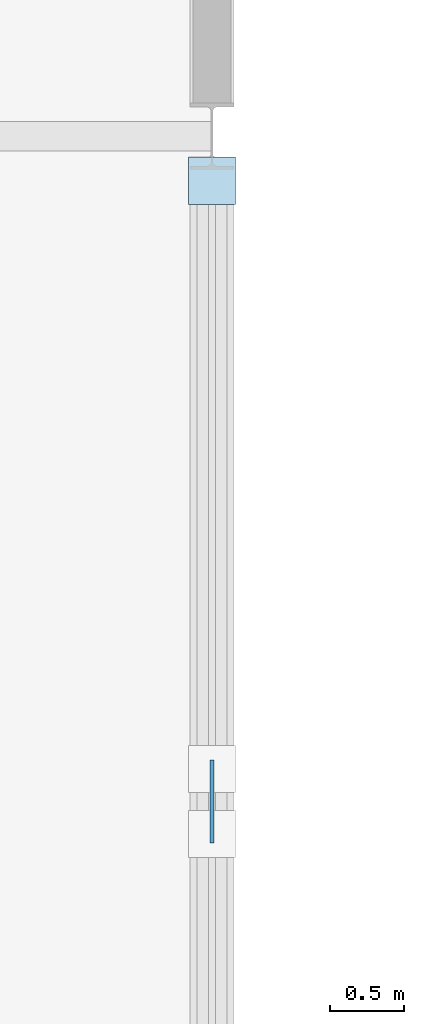
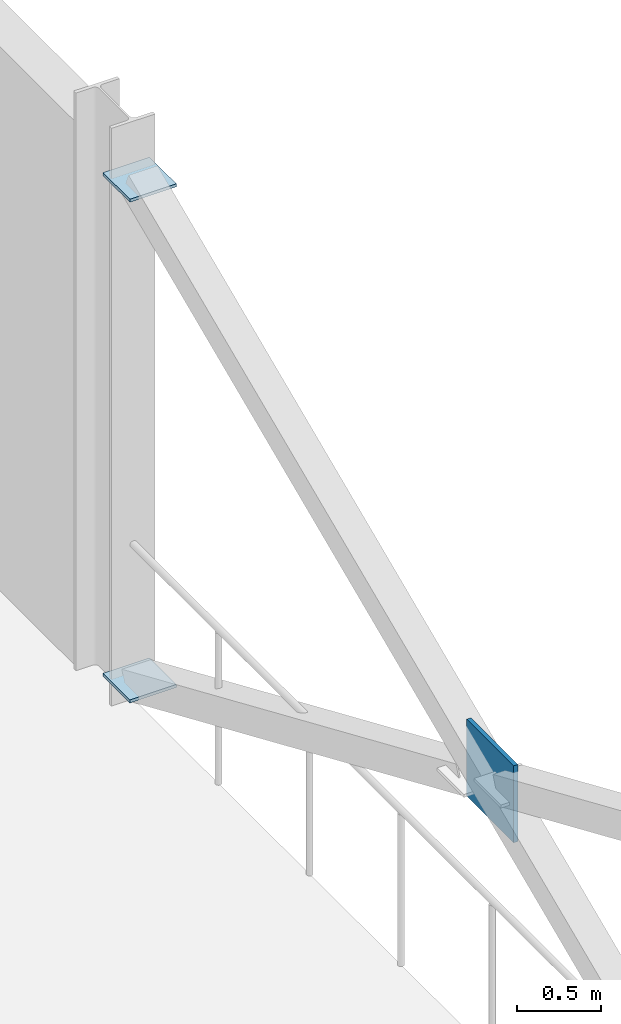
# One storey, part 70 of 88: 3 plates.
"""IFC4 building model written with IfcOpenShell, lengths in metres."""

from ifc_helpers import new_model, si_unit, direction, frame, origin, origin_2d, place, context, subcontext, project, spatial, rectangle, extrude, material, layer, layer_set, type_object, element, save


model = new_model("IFC4")

# Units and contexts
model_context = context("Model", 3, precision=1e-05, world=origin(), true_north=direction((0.0, 1.0)))
body_context = subcontext(model_context, "Body", "Model", "MODEL_VIEW")
ifc_project = project(units=[si_unit("LENGTHUNIT", "METRE"), si_unit("AREAUNIT", "SQUARE_METRE"), si_unit("VOLUMEUNIT", "CUBIC_METRE"), si_unit("PLANEANGLEUNIT", "RADIAN"), si_unit("MASSUNIT", "GRAM", prefix="KILO")], contexts=[model_context])

# Site, building, storey
site_placement = place(None, origin())
site = spatial("IfcSite", under=ifc_project, at=site_placement, CompositionType="ELEMENT")
building_placement = place(site_placement, origin())
building = spatial("IfcBuilding", under=site, at=building_placement, Name="Deido Ridge Mobility Hub", CompositionType="ELEMENT")
storey_placement = place(building_placement, frame((0.0, 0.0, 16.800048828125)))
storey = spatial("IfcBuildingStorey", under=building, at=storey_placement, Name="L04", CompositionType="ELEMENT", Elevation=16.800048828125)

# Plates
ifc_material = material(Name="Steel S355J2 EN 10025-2", Category="steel")
ifc_layer_1 = layer(ifc_material, 0.02197265625, Name="Steel S355J2 EN 10025-2")
ifc_layer_set_1 = layer_set([ifc_layer_1], Name="Steel S355J2 EN 10025-2")
plate_type_1 = type_object("IfcPlateType", Name="PLT-CAP-22", PredefinedType="USERDEFINED", material=ifc_layer_set_1)
for number, where, z_axis, x_axis, name in (
    (1, (180.0, 62.699951171875, 3.80908203125), (0.0, 0.0, 1.0), (1.0, 0.0, 0.0), "Brace sealed end-cap plate EC2 30"),
    (2, (180.0, 62.699951171875, 0.1689453125), (0.0, 0.0, 1.0), (1.0, 0.0, 0.0), "Brace sealed end-cap plate EC2 31"),
):
    element("IfcPlate", number, at=place(storey_placement, frame(where, z_axis=z_axis, x_axis=x_axis)), inside=storey, type_object=plate_type_1, Name=name, ObjectType="END CAP PLATE", PredefinedType="USERDEFINED", context=body_context, shape_type="SweptSolid", body=[
        extrude(rectangle(XDim=0.320068359375, YDim=0.320068359375, at=origin_2d()), origin(), (0.0, 0.0, 1.0), 0.02197265625),
    ])
ifc_layer_2 = layer(ifc_material, 0.028076171875, Name="Steel S355J2 EN 10025-2")
ifc_layer_set_2 = layer_set([ifc_layer_2], Name="Steel S355J2 EN 10025-2")
plate_type_2 = type_object("IfcPlateType", Name="PLT-GUS-28", PredefinedType="USERDEFINED", material=ifc_layer_set_2)
plate_placement = place(storey_placement, frame((180.0, 58.5, 1.719970703125), z_axis=(0.0, 0.0, 1.0), x_axis=(0.0, 1.0, 0.0)))
element("IfcPlate", 3, at=plate_placement, inside=storey, type_object=plate_type_2, Name="X-brace central crossing gusset plate GP3 35", ObjectType="GUSSET PLATE", PredefinedType="USERDEFINED", context=body_context, shape_type="SweptSolid", body=[
    extrude(rectangle(XDim=0.56005859375, YDim=0.028076171875, at=origin_2d()), origin(), (0.0, 0.0, 1.0), 0.56005859375),
])

save(model, "model.ifc")
